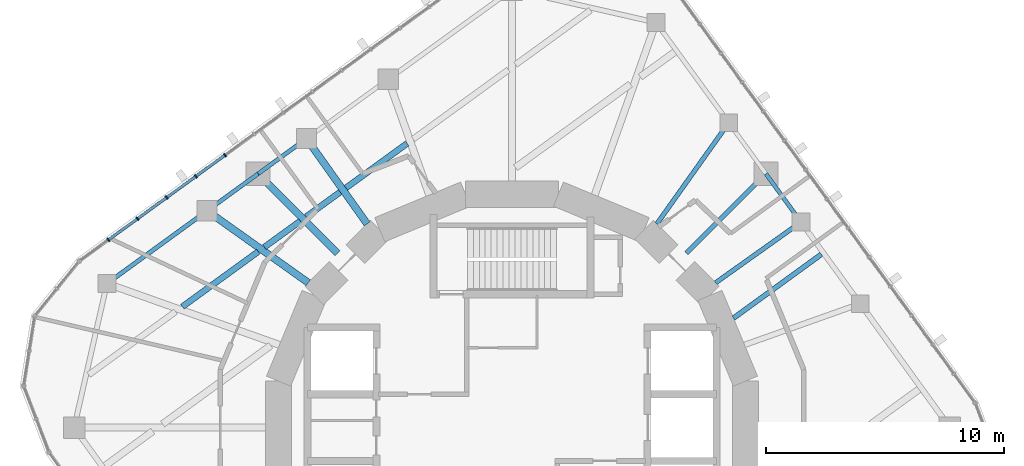
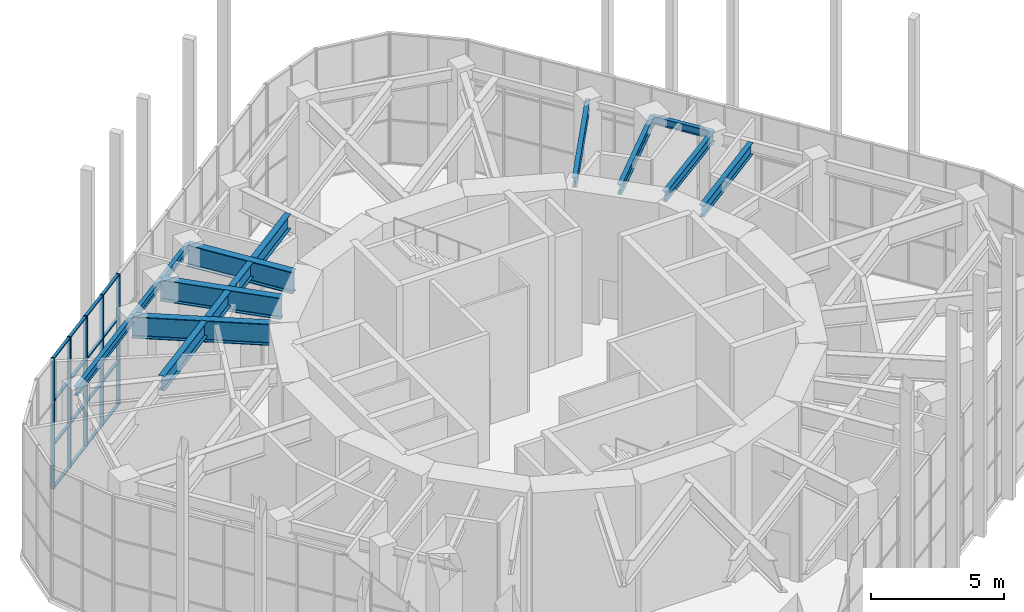
# One storey, part 6 of 17: 21 members, 15 beams, 1 element without a shape of its own.
"""IFC4 building model written with IfcOpenShell, lengths in metres."""

from ifc_helpers import new_model, si_unit, direction, frame, origin, origin_2d, place, context, subcontext, project, spatial, rectangle, i_section, extrude, material, material_profile, profile_set, type_object, element, aggregate, save


model = new_model("IFC4")

# Units and contexts
model_context = context("Model", 3, precision=1e-05, world=origin(), true_north=direction((0.0, 1.0)))
body_context = subcontext(model_context, "Body", "Model", "MODEL_VIEW")
ifc_project = project(units=[si_unit("LENGTHUNIT", "METRE"), si_unit("AREAUNIT", "SQUARE_METRE"), si_unit("VOLUMEUNIT", "CUBIC_METRE"), si_unit("PLANEANGLEUNIT", "RADIAN"), si_unit("MASSUNIT", "GRAM", prefix="KILO")], contexts=[model_context])

# Site, building, storey
site_placement = place(None, origin())
site = spatial("IfcSite", under=ifc_project, at=site_placement, CompositionType="ELEMENT")
building_placement = place(site_placement, origin())
building = spatial("IfcBuilding", under=site, at=building_placement, Name="Nakasero Lantern House", CompositionType="ELEMENT")
storey_placement = place(building_placement, frame((0.0, 0.0, 298.39990234375)))
storey = spatial("IfcBuildingStorey", under=building, at=storey_placement, Name="L73", CompositionType="ELEMENT", Elevation=298.39990234375)

# Beams
ifc_material_1 = material(Name="Steel S355", Category="steel")
ifc_material_profile_1 = material_profile(ifc_material_1, i_section(OverallWidth=0.2099609375, OverallDepth=0.53662109375, WebThickness=0.0107421875, FlangeThickness=0.017333984375, FilletRadius=0.0126953125, at=origin_2d()), Name="UB 533x210x101")
ifc_profile_set_1 = profile_set([ifc_material_profile_1], Name="Steel S355")
beam_type_1 = type_object("IfcBeamType", Name="Infill beam UB 533x210x101", PredefinedType="JOIST", material=ifc_profile_set_1)
beam_1_placement = place(storey_placement, frame((9.306396484375, 4.598388671875, 5.53173828125), z_axis=(0.809018255439, 0.587783516583, 0.0), x_axis=(-0.587783516583, 0.809018255439, 0.0)))
element("IfcBeam", 1, at=beam_1_placement, inside=storey, type_object=beam_type_1, Name="Infill beam L74 06.1", PredefinedType="JOIST", context=body_context, shape_type="SweptSolid", body=[
    extrude(i_section(OverallWidth=0.2099609375, OverallDepth=0.53662109375, WebThickness=0.0107421875, FlangeThickness=0.017333984375, FilletRadius=0.0126953125, at=origin_2d()), origin(), (0.0, 0.0, 1.0), 4.563232421875),
])
ifc_material_2 = material(Name="Steel S355", Category="steel")
ifc_material_profile_2 = material_profile(ifc_material_2, i_section(OverallWidth=0.253662109375, OverallDepth=0.68359375, WebThickness=0.012451171875, FlangeThickness=0.01904296875, FilletRadius=0.01513671875, at=origin_2d()), Name="UB 686x254x140")
ifc_profile_set_2 = profile_set([ifc_material_profile_2], Name="Steel S355")
beam_type_2 = type_object("IfcBeamType", Name="Infill beam UB 686x254x140", PredefinedType="JOIST", material=ifc_profile_set_2)
beam_2_placement = place(storey_placement, frame((-13.849609375, 5.07958984375, 5.458251953125), z_axis=(0.809011841835, 0.58779234409, 0.0), x_axis=(-0.58779234409, 0.809011841835, 0.0)))
element("IfcBeam", 2, at=beam_2_placement, inside=storey, type_object=beam_type_2, Name="Infill beam L74 10.2", PredefinedType="JOIST", context=body_context, shape_type="SweptSolid", body=[
    extrude(i_section(OverallWidth=0.253662109375, OverallDepth=0.68359375, WebThickness=0.012451171875, FlangeThickness=0.01904296875, FilletRadius=0.01513671875, at=origin_2d()), origin(), (0.0, 0.0, 1.0), 3.942138671875),
])
beam_3_placement = place(storey_placement, frame((-10.404296875, 7.582763671875, 5.458251953125), z_axis=(0.809080675426, 0.587697592859, 0.0), x_axis=(-0.587697592859, 0.809080675426, 0.0)))
element("IfcBeam", 3, at=beam_3_placement, inside=storey, type_object=beam_type_2, Name="Infill beam L74 10.3", PredefinedType="JOIST", context=body_context, shape_type="SweptSolid", body=[
    extrude(i_section(OverallWidth=0.253662109375, OverallDepth=0.68359375, WebThickness=0.012451171875, FlangeThickness=0.01904296875, FilletRadius=0.01513671875, at=origin_2d()), origin(), (0.0, 0.0, 1.0), 1.8681640625),
])
beam_4_placement = place(storey_placement, frame((-8.647216796875, 8.859375, 5.458251953125), z_axis=(0.80904738199, 0.587743425054, 0.0), x_axis=(-0.587743425054, 0.80904738199, 0.0)))
element("IfcBeam", 4, at=beam_4_placement, inside=storey, type_object=beam_type_2, Name="Infill beam L74 10.4", PredefinedType="JOIST", context=body_context, shape_type="SweptSolid", body=[
    extrude(i_section(OverallWidth=0.253662109375, OverallDepth=0.68359375, WebThickness=0.012451171875, FlangeThickness=0.01904296875, FilletRadius=0.01513671875, at=origin_2d()), origin(), (0.0, 0.0, 1.0), 1.762939453125),
])
beam_5_placement = place(storey_placement, frame((-6.978271484375, 10.07177734375, 5.458251953125), z_axis=(0.809038119983, 0.587756174288, 0.0), x_axis=(-0.587756174288, 0.809038119983, 0.0)))
element("IfcBeam", 5, at=beam_5_placement, inside=storey, type_object=beam_type_2, Name="Infill beam L74 10.5", PredefinedType="JOIST", context=body_context, shape_type="SweptSolid", body=[
    extrude(i_section(OverallWidth=0.253662109375, OverallDepth=0.68359375, WebThickness=0.012451171875, FlangeThickness=0.01904296875, FilletRadius=0.01513671875, at=origin_2d()), origin(), (0.0, 0.0, 1.0), 3.1796875),
])

# Curtain wall, members
ifc_material_3 = material(Name="Aluminium 6063-T6 and glass", Category="aluminium")
curtain_wall_type = type_object("IfcCurtainWallType", Name="Lantern glazing CW-4", PredefinedType="USERDEFINED", material=ifc_material_3)
curtain_wall_placement = place(storey_placement, origin())
curtain_wall = element("IfcCurtainWall", 6, at=curtain_wall_placement, inside=storey, type_object=curtain_wall_type, Name="Curtain wall CW-4 L73", ObjectType="UNITISED CURTAIN WALL", PredefinedType="USERDEFINED")
ifc_material_4 = material(Name="Aluminium 6063-T6", Category="aluminium")
ifc_material_profile_3 = material_profile(ifc_material_4, rectangle(XDim=0.06005859375, YDim=0.159912109375, at=origin_2d()), Name="CW-4 mullion 60x160")
ifc_profile_set_3 = profile_set([ifc_material_profile_3], Name="Aluminium 6063-T6")
member_type_1 = type_object("IfcMemberType", Name="Mullion CW-4", PredefinedType="MULLION", material=ifc_profile_set_3)
member_1_placement = place(storey_placement, frame((-12.060546875, 11.447265625, 0.0), z_axis=(0.0, 0.0, 1.0), x_axis=(-0.809016994375, -0.587785252292, 0.0)))
member_1 = element("IfcMember", 7, at=member_1_placement, type_object=member_type_1, Name="CW-4 mullion 10", PredefinedType="MULLION", context=body_context, shape_type="SweptSolid", body=[
    extrude(rectangle(XDim=0.06005859375, YDim=0.159912109375, at=origin_2d()), origin(), (0.0, 0.0, 1.0), 6.0),
])
member_2_placement = place(storey_placement, frame((-13.28564453125, 10.55712890625, 0.0), z_axis=(0.0, 0.0, 1.0), x_axis=(-0.809016994375, -0.587785252292, 0.0)))
member_2 = element("IfcMember", 8, at=member_2_placement, type_object=member_type_1, Name="CW-4 mullion 11", PredefinedType="MULLION", context=body_context, shape_type="SweptSolid", body=[
    extrude(rectangle(XDim=0.06005859375, YDim=0.159912109375, at=origin_2d()), origin(), (0.0, 0.0, 1.0), 6.0),
])
member_3_placement = place(storey_placement, frame((-14.5107421875, 9.667236328125, 0.0), z_axis=(0.0, 0.0, 1.0), x_axis=(-0.809016994375, -0.587785252292, 0.0)))
member_3 = element("IfcMember", 9, at=member_3_placement, type_object=member_type_1, Name="CW-4 mullion 12", PredefinedType="MULLION", context=body_context, shape_type="SweptSolid", body=[
    extrude(rectangle(XDim=0.06005859375, YDim=0.159912109375, at=origin_2d()), origin(), (0.0, 0.0, 1.0), 6.0),
])
member_4_placement = place(storey_placement, frame((-15.735595703125, 8.777099609375, 0.0), z_axis=(0.0, 0.0, 1.0), x_axis=(-0.809016994375, -0.587785252292, 0.0)))
member_4 = element("IfcMember", 10, at=member_4_placement, type_object=member_type_1, Name="CW-4 mullion 13", PredefinedType="MULLION", context=body_context, shape_type="SweptSolid", body=[
    extrude(rectangle(XDim=0.06005859375, YDim=0.159912109375, at=origin_2d()), origin(), (0.0, 0.0, 1.0), 6.0),
])
member_5_placement = place(storey_placement, frame((-16.960693359375, 7.886962890625, 0.0), z_axis=(0.0, 0.0, 1.0), x_axis=(-0.809016994375, -0.587785252292, 0.0)))
member_5 = element("IfcMember", 11, at=member_5_placement, type_object=member_type_1, Name="CW-4 mullion 14", PredefinedType="MULLION", context=body_context, shape_type="SweptSolid", body=[
    extrude(rectangle(XDim=0.06005859375, YDim=0.159912109375, at=origin_2d()), origin(), (0.0, 0.0, 1.0), 6.0),
])

# Beams
ifc_material_5 = material(Name="Steel S355", Category="steel")
ifc_material_profile_4 = material_profile(ifc_material_5, i_section(OverallWidth=0.300048828125, OverallDepth=0.97998046875, WebThickness=0.0166015625, FlangeThickness=0.02587890625, FilletRadius=0.030029296875, at=origin_2d()), Name="UB 1016x305x249")
ifc_profile_set_4 = profile_set([ifc_material_profile_4], Name="Steel S355")
beam_type_3 = type_object("IfcBeamType", Name="Primary beam UB 1016x305x249, span to 6 m", PredefinedType="BEAM", material=ifc_profile_set_4)
beam_6_placement = place(storey_placement, frame((-10.667236328125, 10.667236328125, 5.31005859375), z_axis=(0.707106781187, -0.707106781187, 0.0), x_axis=(0.707106781187, 0.707106781187, 0.0)))
element("IfcBeam", 12, at=beam_6_placement, inside=storey, type_object=beam_type_3, Name="Primary beam L74 B7-C12", PredefinedType="BEAM", context=body_context, shape_type="SweptSolid", body=[
    extrude(i_section(OverallWidth=0.300048828125, OverallDepth=0.97998046875, WebThickness=0.0166015625, FlangeThickness=0.02587890625, FilletRadius=0.030029296875, at=origin_2d()), origin(), (0.0, 0.0, 1.0), 4.727783203125),
])
ifc_material_6 = material(Name="Steel S355", Category="steel")
ifc_material_profile_5 = material_profile(ifc_material_6, i_section(OverallWidth=0.300048828125, OverallDepth=0.989990234375, WebThickness=0.0166015625, FlangeThickness=0.031005859375, FilletRadius=0.030029296875, at=origin_2d()), Name="UB 1016x305x272")
ifc_profile_set_5 = profile_set([ifc_material_profile_5], Name="Steel S355")
beam_type_4 = type_object("IfcBeamType", Name="Primary beam UB 1016x305x272, span to 6 m", PredefinedType="BEAM", material=ifc_profile_set_5)
beam_7_placement = place(storey_placement, frame((-12.810791015625, 9.10986328125, 5.304931640625), z_axis=(0.814971537688, -0.579500985986, 0.0), x_axis=(0.579500985986, 0.814971537688, 0.0)))
element("IfcBeam", 13, at=beam_7_placement, inside=storey, type_object=beam_type_4, Name="Primary beam L74 B7-C13", PredefinedType="BEAM", context=body_context, shape_type="SweptSolid", body=[
    extrude(i_section(OverallWidth=0.300048828125, OverallDepth=0.989990234375, WebThickness=0.0166015625, FlangeThickness=0.031005859375, FilletRadius=0.030029296875, at=origin_2d()), origin(), (0.0, 0.0, 1.0), 5.215087890625),
])
ifc_material_7 = material(Name="Steel S355", Category="steel")
ifc_material_profile_6 = material_profile(ifc_material_7, i_section(OverallWidth=0.300048828125, OverallDepth=1.0, WebThickness=0.01904296875, FlangeThickness=0.035888671875, FilletRadius=0.030029296875, at=origin_2d()), Name="UB 1016x305x314")
ifc_profile_set_6 = profile_set([ifc_material_profile_6], Name="Steel S355")
beam_type_5 = type_object("IfcBeamType", Name="Primary beam UB 1016x305x314, span to 6 m", PredefinedType="BEAM", material=ifc_profile_set_6)
beam_8_placement = place(storey_placement, frame((-8.63525390625, 12.1435546875, 5.300048828125), z_axis=(0.579477068537, -0.814988544116, 0.0), x_axis=(0.814988544116, 0.579477068537, 0.0)))
element("IfcBeam", 14, at=beam_8_placement, inside=storey, type_object=beam_type_5, Name="Primary beam L74 B7-C11", PredefinedType="BEAM", context=body_context, shape_type="SweptSolid", body=[
    extrude(i_section(OverallWidth=0.300048828125, OverallDepth=1.0, WebThickness=0.01904296875, FlangeThickness=0.035888671875, FilletRadius=0.030029296875, at=origin_2d()), origin(), (0.0, 0.0, 1.0), 4.396484375),
])
ifc_material_8 = material(Name="Steel S355", Category="steel")
ifc_material_profile_7 = material_profile(ifc_material_8, i_section(OverallWidth=0.19140625, OverallDepth=0.4599609375, WebThickness=0.010009765625, FlangeThickness=0.01611328125, FilletRadius=0.01025390625, at=origin_2d()), Name="UB 457x191x82")
ifc_profile_set_7 = profile_set([ifc_material_profile_7], Name="Steel S355")
beam_type_6 = type_object("IfcBeamType", Name="Primary beam UB 457x191x82, span to 6 m", PredefinedType="BEAM", material=ifc_profile_set_7)
beam_9_placement = place(storey_placement, frame((12.1435546875, 8.63525390625, 5.570068359375), z_axis=(-0.814988544116, -0.579477068537, 0.0), x_axis=(0.579477068537, -0.814988544116, 0.0)))
element("IfcBeam", 15, at=beam_9_placement, inside=storey, type_object=beam_type_6, Name="Primary beam L74 B7-C05", PredefinedType="BEAM", context=body_context, shape_type="SweptSolid", body=[
    extrude(i_section(OverallWidth=0.19140625, OverallDepth=0.4599609375, WebThickness=0.010009765625, FlangeThickness=0.01611328125, FilletRadius=0.01025390625, at=origin_2d()), origin(), (0.0, 0.0, 1.0), 4.396484375),
])
beam_10_placement = place(storey_placement, frame((10.667236328125, 10.667236328125, 5.570068359375), z_axis=(-0.707106781187, -0.707106781187, 0.0), x_axis=(0.707106781187, -0.707106781187, 0.0)))
element("IfcBeam", 16, at=beam_10_placement, inside=storey, type_object=beam_type_6, Name="Primary beam L74 B7-C06", PredefinedType="BEAM", context=body_context, shape_type="SweptSolid", body=[
    extrude(i_section(OverallWidth=0.19140625, OverallDepth=0.4599609375, WebThickness=0.010009765625, FlangeThickness=0.01611328125, FilletRadius=0.01025390625, at=origin_2d()), origin(), (0.0, 0.0, 1.0), 4.727783203125),
])
beam_11_placement = place(storey_placement, frame((9.10986328125, 12.810791015625, 5.570068359375), z_axis=(-0.579500985986, -0.814971537688, 0.0), x_axis=(0.814971537688, -0.579500985986, 0.0)))
element("IfcBeam", 17, at=beam_11_placement, inside=storey, type_object=beam_type_6, Name="Primary beam L74 B7-C07", PredefinedType="BEAM", context=body_context, shape_type="SweptSolid", body=[
    extrude(i_section(OverallWidth=0.19140625, OverallDepth=0.4599609375, WebThickness=0.010009765625, FlangeThickness=0.01611328125, FilletRadius=0.01025390625, at=origin_2d()), origin(), (0.0, 0.0, 1.0), 5.215087890625),
])
ifc_material_9 = material(Name="Steel S355", Category="steel")
ifc_material_profile_8 = material_profile(ifc_material_9, i_section(OverallWidth=0.17138671875, OverallDepth=0.35498046875, WebThickness=0.00732421875, FlangeThickness=0.011474609375, FilletRadius=0.01025390625, at=origin_2d()), Name="UB 356x171x51")
ifc_profile_set_8 = profile_set([ifc_material_profile_8], Name="Steel S355")
beam_type_7 = type_object("IfcBeamType", Name="Ring beam UB 356x171x51", PredefinedType="BEAM", material=ifc_profile_set_8)
for number, where, z_axis, x_axis, name in (
    (18, (12.1435546875, 8.63525390625, 5.62255859375), (-0.58778439593, 0.809017616558, 0.0), (-0.809017616558, -0.58778439593, 0.0), "Ring beam L74 B7-C05"),
    (19, (-8.63525390625, 12.1435546875, 5.62255859375), (-0.809017616558, -0.58778439593, 0.0), (0.58778439593, -0.809017616558, 0.0), "Ring beam L74 B7-C11"),
):
    element("IfcBeam", number, at=place(storey_placement, frame(where, z_axis=z_axis, x_axis=x_axis)), inside=storey, type_object=beam_type_7, Name=name, PredefinedType="BEAM", context=body_context, shape_type="SweptSolid", body=[
        extrude(i_section(OverallWidth=0.17138671875, OverallDepth=0.35498046875, WebThickness=0.00732421875, FlangeThickness=0.011474609375, FilletRadius=0.01025390625, at=origin_2d()), origin(), (0.0, 0.0, 1.0), 2.51171875),
    ])
beam_12_placement = place(storey_placement, frame((-10.667236328125, 10.667236328125, 5.62255859375), z_axis=(-0.809018895839, -0.587782635143, 0.0), x_axis=(0.587782635143, -0.809018895839, 0.0)))
element("IfcBeam", 20, at=beam_12_placement, inside=storey, type_object=beam_type_7, Name="Ring beam L74 B7-C12", PredefinedType="BEAM", context=body_context, shape_type="SweptSolid", body=[
    extrude(i_section(OverallWidth=0.17138671875, OverallDepth=0.35498046875, WebThickness=0.00732421875, FlangeThickness=0.011474609375, FilletRadius=0.01025390625, at=origin_2d()), origin(), (0.0, 0.0, 1.0), 2.649658203125),
])
ifc_material_10 = material(Name="Steel S355", Category="steel")
ifc_material_profile_9 = material_profile(ifc_material_10, i_section(OverallWidth=0.177978515625, OverallDepth=0.406494140625, WebThickness=0.0078125, FlangeThickness=0.0126953125, FilletRadius=0.01025390625, at=origin_2d()), Name="UB 406x178x60")
ifc_profile_set_9 = profile_set([ifc_material_profile_9], Name="Steel S355")
beam_type_8 = type_object("IfcBeamType", Name="Ring beam UB 406x178x60", PredefinedType="BEAM", material=ifc_profile_set_9)
beam_13_placement = place(storey_placement, frame((-12.810791015625, 9.10986328125, 5.596923828125), z_axis=(-0.809001814948, -0.587806144414, 0.0), x_axis=(0.587806144414, -0.809001814948, 0.0)))
element("IfcBeam", 21, at=beam_13_placement, inside=storey, type_object=beam_type_8, Name="Ring beam L74 B7-C13", PredefinedType="BEAM", context=body_context, shape_type="SweptSolid", body=[
    extrude(i_section(OverallWidth=0.177978515625, OverallDepth=0.406494140625, WebThickness=0.0078125, FlangeThickness=0.0126953125, FilletRadius=0.01025390625, at=origin_2d()), origin(), (0.0, 0.0, 1.0), 5.202880859375),
])

# Member
ifc_material_11 = material(Name="Aluminium 6063-T6", Category="aluminium")
ifc_material_profile_10 = material_profile(ifc_material_11, rectangle(XDim=0.06005859375, YDim=0.1201171875, at=origin_2d()), Name="CW-4 transom 60x120")
ifc_profile_set_10 = profile_set([ifc_material_profile_10], Name="Aluminium 6063-T6")
member_type_2 = type_object("IfcMemberType", Name="Transom CW-4", PredefinedType="USERDEFINED", material=ifc_profile_set_10)
member_6_placement = place(storey_placement, frame((-12.084716796875, 11.4296875, 0.030029296875), z_axis=(-0.809033634773, -0.587762348068, 0.0), x_axis=(0.0, 0.0, 1.0)))
member_6 = element("IfcMember", 22, at=member_6_placement, type_object=member_type_2, Name="CW-4 transom 10.1", ObjectType="TRANSOM", PredefinedType="USERDEFINED", context=body_context, shape_type="SweptSolid", body=[
    extrude(rectangle(XDim=0.06005859375, YDim=0.1201171875, at=origin_2d()), origin(), (0.0, 0.0, 1.0), 1.4541015625),
])

member_7_placement = place(storey_placement, frame((-12.084716796875, 11.4296875, 2.0), z_axis=(-0.809033634773, -0.587762348068, 0.0), x_axis=(0.0, 0.0, 1.0)))
member_7 = element("IfcMember", 23, at=member_7_placement, type_object=member_type_2, Name="CW-4 transom 10.2", ObjectType="TRANSOM", PredefinedType="USERDEFINED", context=body_context, shape_type="SweptSolid", body=[
    extrude(rectangle(XDim=0.06005859375, YDim=0.1201171875, at=origin_2d()), origin(), (0.0, 0.0, 1.0), 1.4541015625),
])

member_8_placement = place(storey_placement, frame((-12.084716796875, 11.4296875, 4.0), z_axis=(-0.809033634773, -0.587762348068, 0.0), x_axis=(0.0, 0.0, 1.0)))
member_8 = element("IfcMember", 24, at=member_8_placement, type_object=member_type_2, Name="CW-4 transom 10.3", ObjectType="TRANSOM", PredefinedType="USERDEFINED", context=body_context, shape_type="SweptSolid", body=[
    extrude(rectangle(XDim=0.06005859375, YDim=0.1201171875, at=origin_2d()), origin(), (0.0, 0.0, 1.0), 1.4541015625),
])

member_9_placement = place(storey_placement, frame((-12.084716796875, 11.4296875, 5.97021484375), z_axis=(-0.809033634773, -0.587762348068, 0.0), x_axis=(0.0, 0.0, 1.0)))
member_9 = element("IfcMember", 25, at=member_9_placement, type_object=member_type_2, Name="CW-4 transom 10.4", ObjectType="TRANSOM", PredefinedType="USERDEFINED", context=body_context, shape_type="SweptSolid", body=[
    extrude(rectangle(XDim=0.06005859375, YDim=0.1201171875, at=origin_2d()), origin(), (0.0, 0.0, 1.0), 1.4541015625),
])

member_10_placement = place(storey_placement, frame((-13.309814453125, 10.53955078125, 0.030029296875), z_axis=(-0.809033634773, -0.587762348068, 0.0), x_axis=(0.0, 0.0, 1.0)))
member_10 = element("IfcMember", 26, at=member_10_placement, type_object=member_type_2, Name="CW-4 transom 11.1", ObjectType="TRANSOM", PredefinedType="USERDEFINED", context=body_context, shape_type="SweptSolid", body=[
    extrude(rectangle(XDim=0.06005859375, YDim=0.1201171875, at=origin_2d()), origin(), (0.0, 0.0, 1.0), 1.4541015625),
])

member_11_placement = place(storey_placement, frame((-13.309814453125, 10.53955078125, 2.0), z_axis=(-0.809033634773, -0.587762348068, 0.0), x_axis=(0.0, 0.0, 1.0)))
member_11 = element("IfcMember", 27, at=member_11_placement, type_object=member_type_2, Name="CW-4 transom 11.2", ObjectType="TRANSOM", PredefinedType="USERDEFINED", context=body_context, shape_type="SweptSolid", body=[
    extrude(rectangle(XDim=0.06005859375, YDim=0.1201171875, at=origin_2d()), origin(), (0.0, 0.0, 1.0), 1.4541015625),
])

member_12_placement = place(storey_placement, frame((-13.309814453125, 10.53955078125, 4.0), z_axis=(-0.809033634773, -0.587762348068, 0.0), x_axis=(0.0, 0.0, 1.0)))
member_12 = element("IfcMember", 28, at=member_12_placement, type_object=member_type_2, Name="CW-4 transom 11.3", ObjectType="TRANSOM", PredefinedType="USERDEFINED", context=body_context, shape_type="SweptSolid", body=[
    extrude(rectangle(XDim=0.06005859375, YDim=0.1201171875, at=origin_2d()), origin(), (0.0, 0.0, 1.0), 1.4541015625),
])

member_13_placement = place(storey_placement, frame((-13.309814453125, 10.53955078125, 5.97021484375), z_axis=(-0.809033634773, -0.587762348068, 0.0), x_axis=(0.0, 0.0, 1.0)))
member_13 = element("IfcMember", 29, at=member_13_placement, type_object=member_type_2, Name="CW-4 transom 11.4", ObjectType="TRANSOM", PredefinedType="USERDEFINED", context=body_context, shape_type="SweptSolid", body=[
    extrude(rectangle(XDim=0.06005859375, YDim=0.1201171875, at=origin_2d()), origin(), (0.0, 0.0, 1.0), 1.4541015625),
])

member_14_placement = place(storey_placement, frame((-14.534912109375, 9.6494140625, 0.030029296875), z_axis=(-0.809033634773, -0.587762348068, 0.0), x_axis=(0.0, 0.0, 1.0)))
member_14 = element("IfcMember", 30, at=member_14_placement, type_object=member_type_2, Name="CW-4 transom 12.1", ObjectType="TRANSOM", PredefinedType="USERDEFINED", context=body_context, shape_type="SweptSolid", body=[
    extrude(rectangle(XDim=0.06005859375, YDim=0.1201171875, at=origin_2d()), origin(), (0.0, 0.0, 1.0), 1.4541015625),
])

member_15_placement = place(storey_placement, frame((-14.534912109375, 9.6494140625, 2.0), z_axis=(-0.809033634773, -0.587762348068, 0.0), x_axis=(0.0, 0.0, 1.0)))
member_15 = element("IfcMember", 31, at=member_15_placement, type_object=member_type_2, Name="CW-4 transom 12.2", ObjectType="TRANSOM", PredefinedType="USERDEFINED", context=body_context, shape_type="SweptSolid", body=[
    extrude(rectangle(XDim=0.06005859375, YDim=0.1201171875, at=origin_2d()), origin(), (0.0, 0.0, 1.0), 1.4541015625),
])

member_16_placement = place(storey_placement, frame((-14.534912109375, 9.6494140625, 4.0), z_axis=(-0.809033634773, -0.587762348068, 0.0), x_axis=(0.0, 0.0, 1.0)))
member_16 = element("IfcMember", 32, at=member_16_placement, type_object=member_type_2, Name="CW-4 transom 12.3", ObjectType="TRANSOM", PredefinedType="USERDEFINED", context=body_context, shape_type="SweptSolid", body=[
    extrude(rectangle(XDim=0.06005859375, YDim=0.1201171875, at=origin_2d()), origin(), (0.0, 0.0, 1.0), 1.4541015625),
])

member_17_placement = place(storey_placement, frame((-14.534912109375, 9.6494140625, 5.97021484375), z_axis=(-0.809033634773, -0.587762348068, 0.0), x_axis=(0.0, 0.0, 1.0)))
member_17 = element("IfcMember", 33, at=member_17_placement, type_object=member_type_2, Name="CW-4 transom 12.4", ObjectType="TRANSOM", PredefinedType="USERDEFINED", context=body_context, shape_type="SweptSolid", body=[
    extrude(rectangle(XDim=0.06005859375, YDim=0.1201171875, at=origin_2d()), origin(), (0.0, 0.0, 1.0), 1.4541015625),
])

member_18_placement = place(storey_placement, frame((-15.760009765625, 8.759521484375, 0.030029296875), z_axis=(-0.808953803009, -0.587872217916, 0.0), x_axis=(0.0, 0.0, 1.0)))
member_18 = element("IfcMember", 34, at=member_18_placement, type_object=member_type_2, Name="CW-4 transom 13.1", ObjectType="TRANSOM", PredefinedType="USERDEFINED", context=body_context, shape_type="SweptSolid", body=[
    extrude(rectangle(XDim=0.06005859375, YDim=0.1201171875, at=origin_2d()), origin(), (0.0, 0.0, 1.0), 1.454345703125),
])

member_19_placement = place(storey_placement, frame((-15.760009765625, 8.759521484375, 2.0), z_axis=(-0.808953803009, -0.587872217916, 0.0), x_axis=(0.0, 0.0, 1.0)))
member_19 = element("IfcMember", 35, at=member_19_placement, type_object=member_type_2, Name="CW-4 transom 13.2", ObjectType="TRANSOM", PredefinedType="USERDEFINED", context=body_context, shape_type="SweptSolid", body=[
    extrude(rectangle(XDim=0.06005859375, YDim=0.1201171875, at=origin_2d()), origin(), (0.0, 0.0, 1.0), 1.454345703125),
])

member_20_placement = place(storey_placement, frame((-15.760009765625, 8.759521484375, 4.0), z_axis=(-0.808953803009, -0.587872217916, 0.0), x_axis=(0.0, 0.0, 1.0)))
member_20 = element("IfcMember", 36, at=member_20_placement, type_object=member_type_2, Name="CW-4 transom 13.3", ObjectType="TRANSOM", PredefinedType="USERDEFINED", context=body_context, shape_type="SweptSolid", body=[
    extrude(rectangle(XDim=0.06005859375, YDim=0.1201171875, at=origin_2d()), origin(), (0.0, 0.0, 1.0), 1.454345703125),
])

member_21_placement = place(storey_placement, frame((-15.760009765625, 8.759521484375, 5.97021484375), z_axis=(-0.808953803009, -0.587872217916, 0.0), x_axis=(0.0, 0.0, 1.0)))
member_21 = element("IfcMember", 37, at=member_21_placement, type_object=member_type_2, Name="CW-4 transom 13.4", ObjectType="TRANSOM", PredefinedType="USERDEFINED", context=body_context, shape_type="SweptSolid", body=[
    extrude(rectangle(XDim=0.06005859375, YDim=0.1201171875, at=origin_2d()), origin(), (0.0, 0.0, 1.0), 1.454345703125),
])

aggregate(curtain_wall, [member_1, member_2, member_3, member_4, member_5, member_6, member_7, member_8, member_9, member_10, member_11, member_12, member_13, member_14, member_15, member_16, member_17, member_18, member_19, member_20, member_21])

save(model, "model.ifc")
